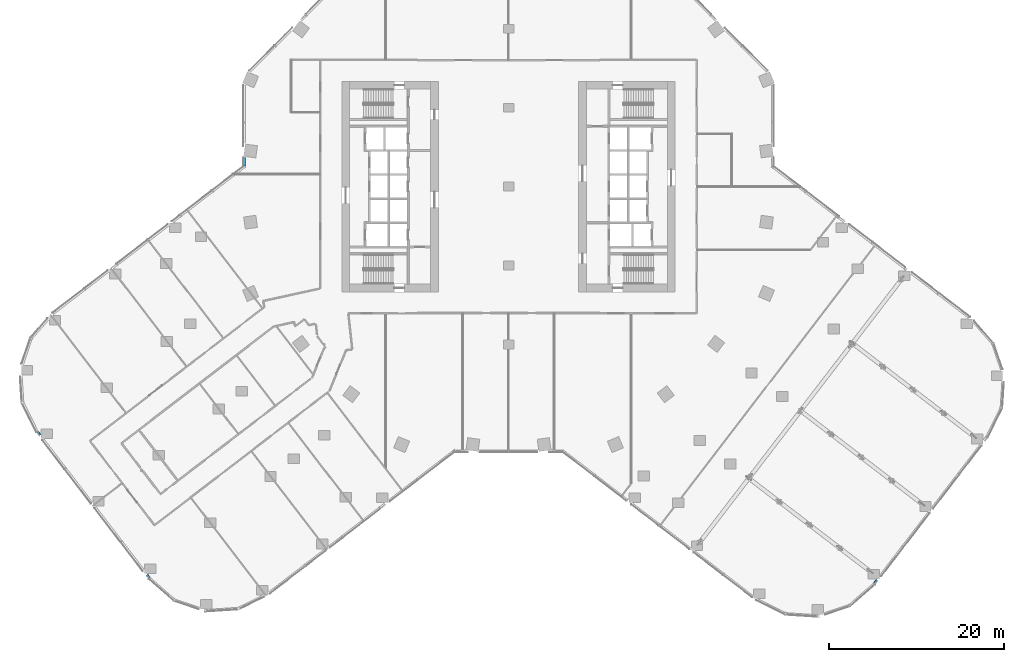
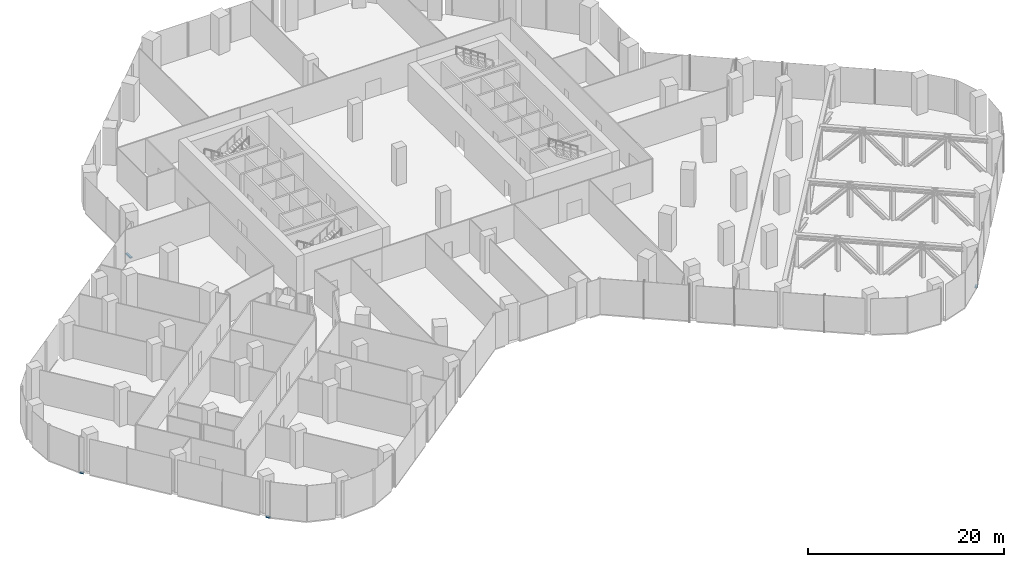
# One storey, part 13 of 30: 4 members, 3 elements without a shape of their own.
"""IFC4 building model written with IfcOpenShell, lengths in metres."""

from ifc_helpers import new_model, si_unit, direction, frame, origin, origin_2d, place, context, subcontext, project, spatial, rectangle, extrude, material, material_profile, profile_set, type_object, element, aggregate, save


model = new_model("IFC4")

# Units and contexts
model_context = context("Model", 3, precision=1e-05, world=origin(), true_north=direction((0.0, 1.0)))
body_context = subcontext(model_context, "Body", "Model", "MODEL_VIEW")
ifc_project = project(units=[si_unit("LENGTHUNIT", "METRE"), si_unit("AREAUNIT", "SQUARE_METRE"), si_unit("VOLUMEUNIT", "CUBIC_METRE"), si_unit("PLANEANGLEUNIT", "RADIAN"), si_unit("MASSUNIT", "GRAM", prefix="KILO")], contexts=[model_context])

# Site, building, storey
site_placement = place(None, origin())
site = spatial("IfcSite", under=ifc_project, at=site_placement, CompositionType="ELEMENT")
building_placement = place(site_placement, origin())
building = spatial("IfcBuilding", under=site, at=building_placement, Name="Orlundy Tower", CompositionType="ELEMENT")
storey_placement = place(building_placement, frame((0.0, 0.0, 20.5)))
storey = spatial("IfcBuildingStorey", under=building, at=storey_placement, Name="L03", CompositionType="ELEMENT", Elevation=20.5)

# Curtain wall, members
ifc_material_1 = material(Name="Aluminium bronze anodised", Category="aluminium")
curtain_wall_type = type_object("IfcCurtainWallType", Name="CW2 wall", PredefinedType="NOTDEFINED", material=ifc_material_1)
curtain_wall_1_placement = place(storey_placement, origin())
curtain_wall_1 = element("IfcCurtainWall", 1, at=curtain_wall_1_placement, inside=storey, type_object=curtain_wall_type, Name="CW2 run 07", PredefinedType="NOTDEFINED")
ifc_material_2 = material(Name="Aluminium bronze anodised", Category="aluminium")
ifc_material_profile = material_profile(ifc_material_2, rectangle(XDim=0.25, YDim=0.14990234375, at=origin_2d()), Name="CW2 transom 250x150")
ifc_profile_set = profile_set([ifc_material_profile], Name="Aluminium bronze anodised")
member_type = type_object("IfcMemberType", Name="CW2 transom 250x150", PredefinedType="USERDEFINED", material=ifc_profile_set)
member_1_placement = place(storey_placement, frame((-40.919921875, -44.617919921875, -0.324951171875), z_axis=(-0.608687084011, 0.79341038168, 0.0), x_axis=(-0.79341038168, -0.608687084011, 0.0)))
member_1 = element("IfcMember", 2, at=member_1_placement, type_object=member_type, Name="CW2 transom", ObjectType="TRANSOM", PredefinedType="USERDEFINED", context=body_context, shape_type="SweptSolid", body=[
    extrude(rectangle(XDim=0.25, YDim=0.14990234375, at=origin_2d()), origin(), (0.0, 0.0, 1.0), 0.461181640625),
])
member_2_placement = place(storey_placement, frame((-53.43310546875, -28.31005859375, -0.324951171875), z_axis=(-0.608810266529, 0.793315863556, 0.0), x_axis=(-0.793315863556, -0.608810266529, 0.0)))
member_2 = element("IfcMember", 3, at=member_2_placement, type_object=member_type, Name="CW2 transom", ObjectType="TRANSOM", PredefinedType="USERDEFINED", context=body_context, shape_type="SweptSolid", body=[
    extrude(rectangle(XDim=0.25, YDim=0.14990234375, at=origin_2d()), origin(), (0.0, 0.0, 1.0), 0.41943359375),
])
aggregate(curtain_wall_1, [member_1, member_2])

# Curtain wall, member
curtain_wall_2_placement = place(storey_placement, origin())
curtain_wall_2 = element("IfcCurtainWall", 4, at=curtain_wall_2_placement, inside=storey, type_object=curtain_wall_type, Name="CW2 run 013", PredefinedType="NOTDEFINED")
member_3_placement = place(storey_placement, frame((-30.125, 2.376708984375, -0.324951171875), z_axis=(0.0, 1.0, 0.0), x_axis=(-1.0, 0.0, 0.0)))
member_3 = element("IfcMember", 5, at=member_3_placement, type_object=member_type, Name="CW2 transom", ObjectType="TRANSOM", PredefinedType="USERDEFINED", context=body_context, shape_type="SweptSolid", body=[
    extrude(rectangle(XDim=0.25, YDim=0.14990234375, at=origin_2d()), origin(), (0.0, 0.0, 1.0), 0.92431640625),
])
aggregate(curtain_wall_2, [member_3])

curtain_wall_3_placement = place(storey_placement, origin())
curtain_wall_3 = element("IfcCurtainWall", 6, at=curtain_wall_3_placement, inside=storey, type_object=curtain_wall_type, Name="CW2 run 023", PredefinedType="NOTDEFINED")
member_4_placement = place(storey_placement, frame((41.99365234375, -44.860107421875, -0.324951171875), z_axis=(-0.608942775876, -0.79321415501, 0.0), x_axis=(0.79321415501, -0.608942775876, 0.0)))
member_4 = element("IfcMember", 7, at=member_4_placement, type_object=member_type, Name="CW2 transom", ObjectType="TRANSOM", PredefinedType="USERDEFINED", context=body_context, shape_type="SweptSolid", body=[
    extrude(rectangle(XDim=0.25, YDim=0.14990234375, at=origin_2d()), origin(), (0.0, 0.0, 1.0), 0.461181640625),
])
aggregate(curtain_wall_3, [member_4])

save(model, "model.ifc")
